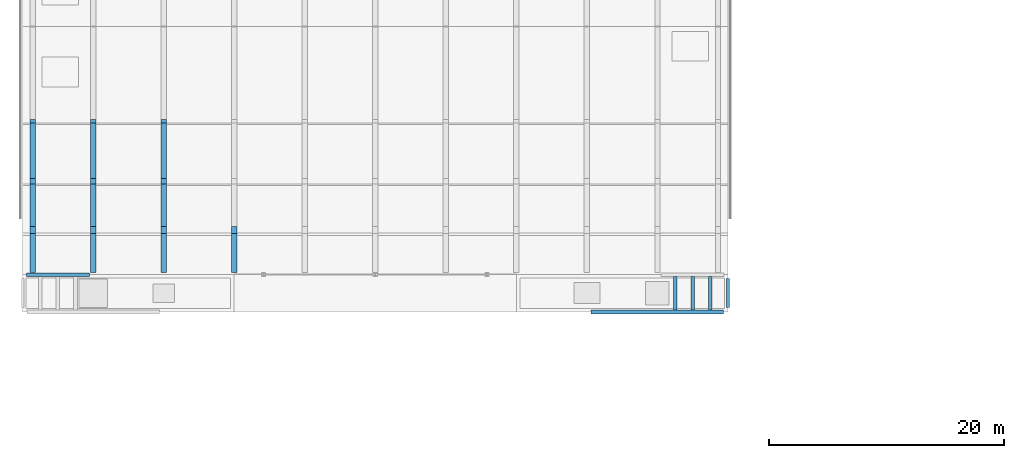
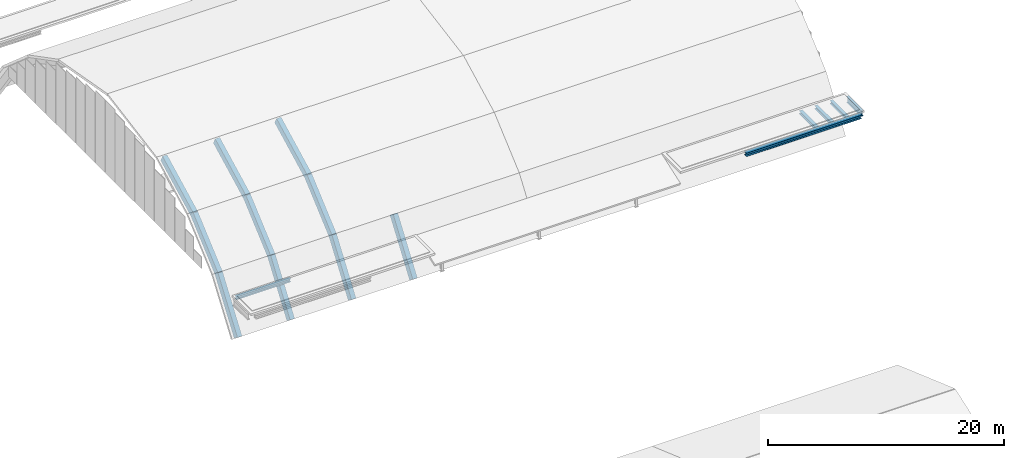
# One storey, part 14 of 42: 16 beams.
"""IFC4 building model written with IfcOpenShell, lengths in metres."""

from ifc_helpers import new_model, si_unit, direction, frame, origin, origin_2d, place, context, subcontext, project, spatial, rectangle, i_section, extrude, material, material_profile, profile_set, type_object, element, save


model = new_model("IFC4")

# Units and contexts
model_context = context("Model", 3, precision=1e-05, world=origin(), true_north=direction((0.0, 1.0)))
body_context = subcontext(model_context, "Body", "Model", "MODEL_VIEW")
ifc_project = project(units=[si_unit("LENGTHUNIT", "METRE"), si_unit("AREAUNIT", "SQUARE_METRE"), si_unit("VOLUMEUNIT", "CUBIC_METRE"), si_unit("PLANEANGLEUNIT", "RADIAN"), si_unit("MASSUNIT", "GRAM", prefix="KILO")], contexts=[model_context])

# Site, building, storey
site_placement = place(None, origin())
site = spatial("IfcSite", under=ifc_project, at=site_placement, CompositionType="ELEMENT")
building_placement = place(site_placement, origin())
building = spatial("IfcBuilding", under=site, at=building_placement, Name="Kelmvaro Bay Concert Hall", CompositionType="ELEMENT")
storey_placement = place(building_placement, frame((0.0, 0.0, 26.699951171875)))
storey = spatial("IfcBuildingStorey", under=building, at=storey_placement, Name="RF", CompositionType="ELEMENT", Elevation=26.699951171875)

# Beams
ifc_material_1 = material(Name="Steel ASTM A992 Grade 50", Category="steel")
ifc_material_profile_1 = material_profile(ifc_material_1, i_section(OverallWidth=0.373046875, OverallDepth=0.373046875, WebThickness=0.016357421875, FlangeThickness=0.026123046875, at=origin_2d()), Name="W14X132")
ifc_profile_set_1 = profile_set([ifc_material_profile_1], Name="Steel ASTM A992 Grade 50")
beam_type_1 = type_object("IfcBeamType", Name="Crown Roof Frame Beam W14x132", PredefinedType="BEAM", material=ifc_profile_set_1)
beam_1_placement = place(storey_placement, frame((48.35009765625, 65.39990234375, -0.31640625), z_axis=(1.0, 0.0, 0.0), x_axis=(0.0, 1.0, 0.0)))
element("IfcBeam", 1, at=beam_1_placement, inside=storey, type_object=beam_type_1, Name="RF Girder BM-RF-EW-1970", PredefinedType="BEAM", context=body_context, shape_type="SweptSolid", body=[
    extrude(i_section(OverallWidth=0.373046875, OverallDepth=0.373046875, WebThickness=0.016357421875, FlangeThickness=0.026123046875, at=origin_2d()), origin(), (0.0, 0.0, 1.0), 11.27490234375),
])
ifc_material_2 = material(Name="Steel ASTM A992 Grade 50", Category="steel")
ifc_material_profile_2 = material_profile(ifc_material_2, i_section(OverallWidth=0.304931640625, OverallDepth=0.306884765625, WebThickness=0.010009765625, FlangeThickness=0.015380859375, at=origin_2d()), Name="W12X65")
ifc_profile_set_2 = profile_set([ifc_material_profile_2], Name="Steel ASTM A992 Grade 50")
beam_type_2 = type_object("IfcBeamType", Name="Flat Roof Deck Joist W12x65", PredefinedType="JOIST", material=ifc_profile_set_2)
for number, where, z_axis, x_axis, name in (
    (2, (55.5, 65.58642578125, -0.283447265625), (0.0, 1.0, 0.0), (-1.0, 0.0, 0.0), "RF Floor Joist JST-RF-1984"),
    (3, (57.0, 65.58642578125, -0.283447265625), (0.0, 1.0, 0.0), (-1.0, 0.0, 0.0), "RF Floor Joist JST-RF-1985"),
    (4, (58.5, 65.58642578125, -0.283447265625), (0.0, 1.0, 0.0), (-1.0, 0.0, 0.0), "RF Floor Joist JST-RF-1986"),
):
    element("IfcBeam", number, at=place(storey_placement, frame(where, z_axis=z_axis, x_axis=x_axis)), inside=storey, type_object=beam_type_2, Name=name, PredefinedType="JOIST", context=body_context, shape_type="SweptSolid", body=[
        extrude(i_section(OverallWidth=0.304931640625, OverallDepth=0.306884765625, WebThickness=0.010009765625, FlangeThickness=0.015380859375, at=origin_2d()), origin(), (0.0, 0.0, 1.0), 2.840087890625),
    ])
ifc_material_3 = material(Name="Concrete C40/50", Category="concrete")
ifc_material_profile_3 = material_profile(ifc_material_3, rectangle(XDim=0.449951171875, YDim=0.699951171875, at=origin_2d()), Name="RC-BM-450X700")
ifc_profile_set_3 = profile_set([ifc_material_profile_3], Name="Concrete C40/50")
beam_type_3 = type_object("IfcBeamType", Name="Perimeter Spandrel Beam RC450x700", PredefinedType="BEAM", material=ifc_profile_set_3)
beam_2_placement = place(storey_placement, frame((0.85009765625, 69.04150390625, -4.82666015625), z_axis=(0.0, 0.577266481329, 0.816555821444), x_axis=(-1.0, 0.0, 0.0)))
element("IfcBeam", 5, at=beam_2_placement, inside=storey, type_object=beam_type_3, Name="Barrel Shell Arch Rib 01-01", PredefinedType="BEAM", context=body_context, shape_type="SweptSolid", body=[
    extrude(rectangle(XDim=0.449951171875, YDim=0.699951171875, at=origin_2d()), origin(), (0.0, 0.0, 1.0), 5.7666015625),
])
beam_3_placement = place(storey_placement, frame((0.85009765625, 72.280517578125, -0.21728515625), z_axis=(0.0, 0.753444197978, 0.657511855811), x_axis=(-1.0, 0.0, 0.0)))
element("IfcBeam", 6, at=beam_3_placement, inside=storey, type_object=beam_type_3, Name="Barrel Shell Arch Rib 01-02", PredefinedType="BEAM", context=body_context, shape_type="SweptSolid", body=[
    extrude(rectangle(XDim=0.449951171875, YDim=0.699951171875, at=origin_2d()), origin(), (0.0, 0.0, 1.0), 5.626708984375),
])
beam_4_placement = place(storey_placement, frame((0.85009765625, 76.408203125, 3.40625), z_axis=(0.0, 0.888139145223, 0.459574649782), x_axis=(-1.0, 0.0, 0.0)))
element("IfcBeam", 7, at=beam_4_placement, inside=storey, type_object=beam_type_3, Name="Barrel Shell Arch Rib 01-03", PredefinedType="BEAM", context=body_context, shape_type="SweptSolid", body=[
    extrude(rectangle(XDim=0.449951171875, YDim=0.699951171875, at=origin_2d()), origin(), (0.0, 0.0, 1.0), 5.865234375),
])
beam_5_placement = place(storey_placement, frame((6.0, 69.04150390625, -4.82666015625), z_axis=(0.0, 0.577266481329, 0.816555821444), x_axis=(-1.0, 0.0, 0.0)))
element("IfcBeam", 8, at=beam_5_placement, inside=storey, type_object=beam_type_3, Name="Barrel Shell Arch Rib 02-01", PredefinedType="BEAM", context=body_context, shape_type="SweptSolid", body=[
    extrude(rectangle(XDim=0.449951171875, YDim=0.699951171875, at=origin_2d()), origin(), (0.0, 0.0, 1.0), 5.7666015625),
])
beam_6_placement = place(storey_placement, frame((6.0, 72.280517578125, -0.21728515625), z_axis=(0.0, 0.753444197978, 0.657511855811), x_axis=(-1.0, 0.0, 0.0)))
element("IfcBeam", 9, at=beam_6_placement, inside=storey, type_object=beam_type_3, Name="Barrel Shell Arch Rib 02-02", PredefinedType="BEAM", context=body_context, shape_type="SweptSolid", body=[
    extrude(rectangle(XDim=0.449951171875, YDim=0.699951171875, at=origin_2d()), origin(), (0.0, 0.0, 1.0), 5.626708984375),
])
beam_7_placement = place(storey_placement, frame((6.0, 76.408203125, 3.40625), z_axis=(0.0, 0.888139145223, 0.459574649782), x_axis=(-1.0, 0.0, 0.0)))
element("IfcBeam", 10, at=beam_7_placement, inside=storey, type_object=beam_type_3, Name="Barrel Shell Arch Rib 02-03", PredefinedType="BEAM", context=body_context, shape_type="SweptSolid", body=[
    extrude(rectangle(XDim=0.449951171875, YDim=0.699951171875, at=origin_2d()), origin(), (0.0, 0.0, 1.0), 5.865234375),
])
beam_8_placement = place(storey_placement, frame((12.0, 69.04150390625, -4.82666015625), z_axis=(0.0, 0.577266481329, 0.816555821444), x_axis=(-1.0, 0.0, 0.0)))
element("IfcBeam", 11, at=beam_8_placement, inside=storey, type_object=beam_type_3, Name="Barrel Shell Arch Rib 03-01", PredefinedType="BEAM", context=body_context, shape_type="SweptSolid", body=[
    extrude(rectangle(XDim=0.449951171875, YDim=0.699951171875, at=origin_2d()), origin(), (0.0, 0.0, 1.0), 5.7666015625),
])
beam_9_placement = place(storey_placement, frame((12.0, 72.280517578125, -0.21728515625), z_axis=(0.0, 0.753444197978, 0.657511855811), x_axis=(-1.0, 0.0, 0.0)))
element("IfcBeam", 12, at=beam_9_placement, inside=storey, type_object=beam_type_3, Name="Barrel Shell Arch Rib 03-02", PredefinedType="BEAM", context=body_context, shape_type="SweptSolid", body=[
    extrude(rectangle(XDim=0.449951171875, YDim=0.699951171875, at=origin_2d()), origin(), (0.0, 0.0, 1.0), 5.626708984375),
])
beam_10_placement = place(storey_placement, frame((12.0, 76.408203125, 3.40625), z_axis=(0.0, 0.888139145223, 0.459574649782), x_axis=(-1.0, 0.0, 0.0)))
element("IfcBeam", 13, at=beam_10_placement, inside=storey, type_object=beam_type_3, Name="Barrel Shell Arch Rib 03-03", PredefinedType="BEAM", context=body_context, shape_type="SweptSolid", body=[
    extrude(rectangle(XDim=0.449951171875, YDim=0.699951171875, at=origin_2d()), origin(), (0.0, 0.0, 1.0), 5.865234375),
])
beam_11_placement = place(storey_placement, frame((18.0, 69.04150390625, -4.82666015625), z_axis=(0.0, 0.577266481329, 0.816555821444), x_axis=(-1.0, 0.0, 0.0)))
element("IfcBeam", 14, at=beam_11_placement, inside=storey, type_object=beam_type_3, Name="Barrel Shell Arch Rib 04-01", PredefinedType="BEAM", context=body_context, shape_type="SweptSolid", body=[
    extrude(rectangle(XDim=0.449951171875, YDim=0.699951171875, at=origin_2d()), origin(), (0.0, 0.0, 1.0), 5.7666015625),
])
ifc_material_4 = material(Name="Steel ASTM A992 Grade 50", Category="steel")
ifc_material_profile_4 = material_profile(ifc_material_4, i_section(OverallWidth=0.306884765625, OverallDepth=0.318115234375, WebThickness=0.01318359375, FlangeThickness=0.0205078125, at=origin_2d()), Name="W12X87")
ifc_profile_set_4 = profile_set([ifc_material_profile_4], Name="Steel ASTM A992 Grade 50")
beam_type_4 = type_object("IfcBeamType", Name="Roof Hatch Trimmer Beam W12x87", PredefinedType="BEAM", material=ifc_profile_set_4)
beam_12_placement = place(storey_placement, frame((0.324951171875, 68.580078125, -0.2890625), z_axis=(1.0, 0.0, 0.0), x_axis=(0.0, 1.0, 0.0)))
element("IfcBeam", 15, at=beam_12_placement, inside=storey, type_object=beam_type_4, Name="RF Girder BM-RF-EW-1971", PredefinedType="BEAM", context=body_context, shape_type="SweptSolid", body=[
    extrude(i_section(OverallWidth=0.306884765625, OverallDepth=0.318115234375, WebThickness=0.01318359375, FlangeThickness=0.0205078125, at=origin_2d()), origin(), (0.0, 0.0, 1.0), 5.35009765625),
])
ifc_material_5 = material(Name="Steel ASTM A992 Grade 50", Category="steel")
ifc_material_profile_5 = material_profile(ifc_material_5, i_section(OverallWidth=0.22900390625, OverallDepth=0.612060546875, WebThickness=0.011962890625, FlangeThickness=0.01953125, at=origin_2d()), Name="W24X84")
ifc_profile_set_5 = profile_set([ifc_material_profile_5], Name="Steel ASTM A992 Grade 50")
beam_type_5 = type_object("IfcBeamType", Name="Terrace Edge Girder W24x84", PredefinedType="BEAM", material=ifc_profile_set_5)
beam_13_placement = place(storey_placement, frame((60.0, 65.77490234375, -0.43603515625), z_axis=(0.0, 1.0, 0.0), x_axis=(-1.0, 0.0, 0.0)))
element("IfcBeam", 16, at=beam_13_placement, inside=storey, type_object=beam_type_5, Name="RF Girder BM-RF-NS-1979", PredefinedType="BEAM", context=body_context, shape_type="SweptSolid", body=[
    extrude(i_section(OverallWidth=0.22900390625, OverallDepth=0.612060546875, WebThickness=0.011962890625, FlangeThickness=0.01953125, at=origin_2d()), origin(), (0.0, 0.0, 1.0), 2.47998046875),
])

save(model, "model.ifc")
